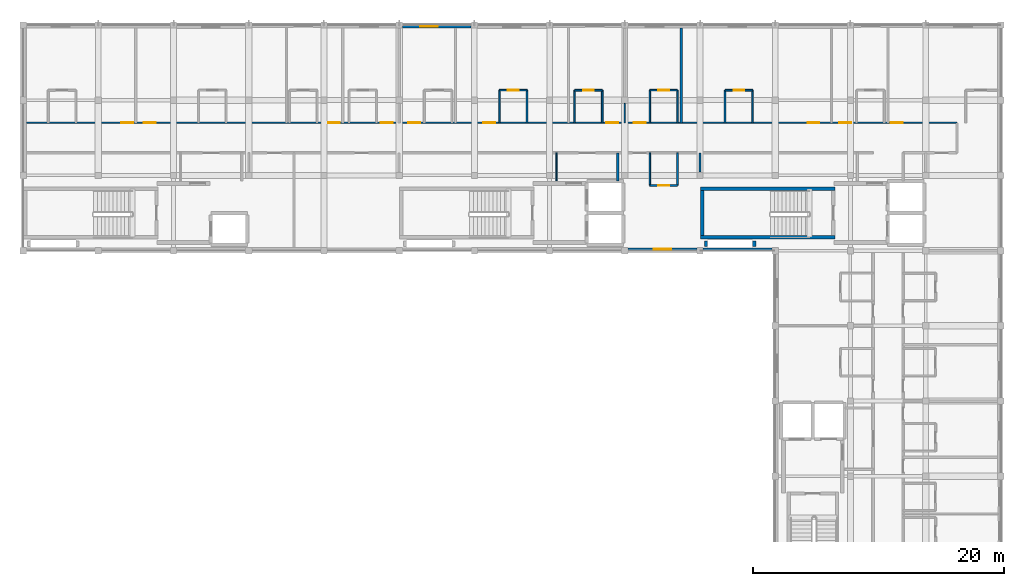
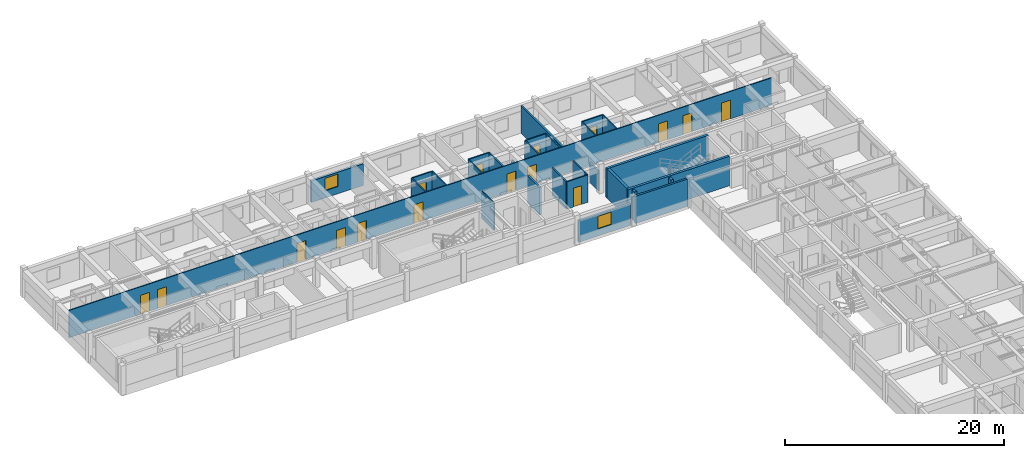
# One storey, part 9 of 15: 29 walls, 16 doors, 2 windows, 18 openings.
"""IFC4 building model written with IfcOpenShell, lengths in metres."""

from ifc_helpers import new_model, si_unit, direction, frame, frame_2d, origin, place, context, subcontext, project, spatial, rectangle, extrude, material, layer, layer_set, type_object, element, fill, save


model = new_model("IFC4")

# Units and contexts
model_context = context("Model", 3, precision=1e-05, world=origin(), true_north=direction((0.0, 1.0)))
body_context = subcontext(model_context, "Body", "Model", "MODEL_VIEW")
ifc_project = project(units=[si_unit("LENGTHUNIT", "METRE"), si_unit("AREAUNIT", "SQUARE_METRE"), si_unit("VOLUMEUNIT", "CUBIC_METRE"), si_unit("PLANEANGLEUNIT", "RADIAN"), si_unit("MASSUNIT", "GRAM", prefix="KILO"), si_unit("THERMODYNAMICTEMPERATUREUNIT", "KELVIN"), si_unit("POWERUNIT", "WATT")], contexts=[model_context])

# Site, building, storey
site_placement = place(None, origin())
site = spatial("IfcSite", under=ifc_project, at=site_placement, CompositionType="ELEMENT")
building_placement = place(site_placement, origin())
building = spatial("IfcBuilding", under=site, at=building_placement, Name="Phaisarnlok Congress Hotel", CompositionType="ELEMENT")
storey_placement = place(building_placement, frame((0.0, 0.0, 41.39990234375)))
storey = spatial("IfcBuildingStorey", under=building, at=storey_placement, Name="L10", CompositionType="ELEMENT", Elevation=41.39990234375)

# Wall
ifc_material_1 = material(Name="Concrete C40/50", Category="concrete")
ifc_layer_1 = layer(ifc_material_1, 0.2099609375, Name="Concrete C40/50")
ifc_layer_set_1 = layer_set([ifc_layer_1], Name="Concrete C40/50")
wall_type_1 = type_object("IfcWallType", Name="WL-EXT-210", PredefinedType="SOLIDWALL", material=ifc_layer_set_1)
wall_1_placement = place(storey_placement, frame((156.2548828125, 108.10498046875, 0.0), z_axis=(0.0, 0.0, 1.0), x_axis=(1.0, 0.0, 0.0)))
element("IfcWall", 1, at=wall_1_placement, inside=storey, type_object=wall_type_1, Name="Exterior wall EW-07 (L10)", PredefinedType="SOLIDWALL", context=body_context, shape_type="SweptSolid", body=[
    extrude(rectangle(XDim=5.490234375, YDim=0.2099609375, at=frame_2d((2.7451171875, 0.0))), origin(), (0.0, 0.0, 1.0), 3.06005859375),
])

# Wall, opening, window
ifc_layer_2 = layer(ifc_material_1, 0.22998046875, Name="Concrete C40/50")
ifc_layer_set_2 = layer_set([ifc_layer_2], Name="Concrete C40/50")
wall_type_2 = type_object("IfcWallType", Name="WL-EXT-230", PredefinedType="SOLIDWALL", material=ifc_layer_set_2)
wall_2_placement = place(storey_placement, frame((150.2548828125, 108.114990234375, 0.0), z_axis=(0.0, 0.0, 1.0), x_axis=(1.0, 0.0, 0.0)))
wall_2 = element("IfcWall", 2, at=wall_2_placement, inside=storey, type_object=wall_type_2, Name="Exterior wall EW-06 (L10)", PredefinedType="SOLIDWALL", context=body_context, shape_type="SweptSolid", body=[
    extrude(rectangle(XDim=5.490234375, YDim=0.22998046875, at=frame_2d((2.7451171875, 0.0))), origin(), (0.0, 0.0, 1.0), 2.41015625),
])
opening_1_placement = place(wall_2_placement, frame((2.044921875, 0.0, 0.800048828125)))
opening_1 = element("IfcOpeningElement", 3, at=opening_1_placement, cuts=wall_2, Name="Opening W-13", PredefinedType="OPENING", context=body_context, shape_type="SweptSolid", body=[
    extrude(rectangle(XDim=1.39990234375, YDim=1.39990234375, at=frame_2d((0.699951171875, 0.699951171875))), frame((0.0, 0.125, 0.0), z_axis=(0.0, -1.0, 0.0), x_axis=(1.0, 0.0, 0.0)), (0.0, 0.0, 1.0), 0.25),
])
ifc_material_2 = material(Name="Thermally Broken Aluminium & Low-E Double Glazing", Category="aluminium")
window_type = type_object("IfcWindowType", Name="WIN-POD-1400", PartitioningType="SINGLE_PANEL", PredefinedType="WINDOW", material=ifc_material_2)
window_1_placement = place(opening_1_placement, origin())
window_1 = element("IfcWindow", 4, at=window_1_placement, inside=storey, type_object=window_type, Name="Guestroom window W-13 (L10)", OverallHeight=1.39990234375, OverallWidth=1.39990234375, PartitioningType="SINGLE_PANEL", PredefinedType="WINDOW", context=body_context, shape_type="SweptSolid", body=[
    extrude(rectangle(XDim=1.39990234375, YDim=1.39990234375, at=frame_2d((0.699951171875, 0.699951171875))), frame((0.0, 0.030029296875, 0.0), z_axis=(0.0, -1.0, 0.0), x_axis=(1.0, 0.0, 0.0)), (0.0, 0.0, 1.0), 0.06005859375),
])
fill(opening_1, window_1)

ifc_layer_3 = layer(ifc_material_1, 0.25, Name="Concrete C40/50")
ifc_layer_set_3 = layer_set([ifc_layer_3], Name="Concrete C40/50")
wall_type_3 = type_object("IfcWallType", Name="WL-EXT-250", PredefinedType="SOLIDWALL", material=ifc_layer_set_3)
wall_3_placement = place(storey_placement, frame((137.7451171875, 125.875, 0.0), z_axis=(0.0, 0.0, 1.0), x_axis=(-1.0, 0.0, 0.0)))
wall_3 = element("IfcWall", 5, at=wall_3_placement, inside=storey, type_object=wall_type_3, Name="Exterior wall EW-05 (L10)", PredefinedType="SOLIDWALL", context=body_context, shape_type="SweptSolid", body=[
    extrude(rectangle(XDim=5.490234375, YDim=0.25, at=frame_2d((2.7451171875, 0.0))), origin(), (0.0, 0.0, 1.0), 2.41015625),
])
opening_2_placement = place(wall_3_placement, frame((2.657958984375, 0.0, 0.800048828125)))
opening_2 = element("IfcOpeningElement", 6, at=opening_2_placement, cuts=wall_3, Name="Opening W-13", PredefinedType="OPENING", context=body_context, shape_type="SweptSolid", body=[
    extrude(rectangle(XDim=1.39990234375, YDim=1.39990234375, at=frame_2d((0.699951171875, 0.699951171875))), frame((0.0, 0.135009765625, 0.0), z_axis=(0.0, -1.0, 0.0), x_axis=(1.0, 0.0, 0.0)), (0.0, 0.0, 1.0), 0.27001953125),
])
window_2_placement = place(opening_2_placement, origin())
window_2 = element("IfcWindow", 7, at=window_2_placement, inside=storey, type_object=window_type, Name="Guestroom window W-13 (L10)", OverallHeight=1.39990234375, OverallWidth=1.39990234375, PartitioningType="SINGLE_PANEL", PredefinedType="WINDOW", context=body_context, shape_type="SweptSolid", body=[
    extrude(rectangle(XDim=1.39990234375, YDim=1.39990234375, at=frame_2d((0.699951171875, 0.699951171875))), frame((0.0, 0.030029296875, 0.0), z_axis=(0.0, -1.0, 0.0), x_axis=(1.0, 0.0, 0.0)), (0.0, 0.0, 1.0), 0.06005859375),
])
fill(opening_2, window_2)

# Walls
ifc_material_3 = material(Name="Service Riser Shaftwall Partition", Category="gypsum")
ifc_layer_4 = layer(ifc_material_3, 0.10498046875, Name="Service Riser Shaftwall Partition")
ifc_layer_set_4 = layer_set([ifc_layer_4], Name="Service Riser Shaftwall Partition")
wall_type_4 = type_object("IfcWallType", Name="WL-INT-105", PredefinedType="PARTITIONING", material=ifc_layer_set_4)
wall_4_placement = place(storey_placement, frame((144.550048828125, 113.56005859375, 0.0), z_axis=(0.0, 0.0, 1.0), x_axis=(0.0, 1.0, 0.0)))
element("IfcWall", 8, at=wall_4_placement, inside=storey, type_object=wall_type_4, Name="Interior partition wall IW-08 (L10)", PredefinedType="PARTITIONING", context=body_context, shape_type="SweptSolid", body=[
    extrude(rectangle(XDim=2.239990234375, YDim=0.10498046875, at=frame_2d((1.1201171875, 0.0))), origin(), (0.0, 0.0, 1.0), 3.06005859375),
])
wall_5_placement = place(storey_placement, frame((150.0, 118.199951171875, 0.0), z_axis=(0.0, 0.0, 1.0), x_axis=(0.0, 1.0, 0.0)))
element("IfcWall", 9, at=wall_5_placement, inside=storey, type_object=wall_type_4, Name="Interior partition wall IW-08 (L10)", PredefinedType="PARTITIONING", context=body_context, shape_type="SweptSolid", body=[
    extrude(rectangle(XDim=1.545166015625, YDim=0.10498046875, at=frame_2d((0.7724609375, 0.0))), origin(), (0.0, 0.0, 1.0), 2.260009765625),
])

# Wall, openings, doors
wall_6_placement = place(storey_placement, frame((102.27490234375, 118.199951171875, 0.0), z_axis=(0.0, 0.0, 1.0), x_axis=(1.0, 0.0, 0.0)))
wall_6 = element("IfcWall", 10, at=wall_6_placement, inside=storey, type_object=wall_type_4, Name="Interior partition wall IW-08 (L10)", PredefinedType="PARTITIONING", context=body_context, shape_type="SweptSolid", body=[
    extrude(rectangle(XDim=74.22509765625, YDim=0.10498046875, at=frame_2d((37.112548828125, 0.0))), origin(), (0.0, 0.0, 1.0), 3.06005859375),
])
opening_3_placement = place(wall_6_placement, frame((7.550048828125, 0.0, 0.0)))
opening_3 = element("IfcOpeningElement", 11, at=opening_3_placement, cuts=wall_6, Name="Opening D-0562", PredefinedType="OPENING", context=body_context, shape_type="SweptSolid", body=[
    extrude(rectangle(XDim=0.949951171875, YDim=2.10009765625, at=frame_2d((0.47509765625, 1.050048828125))), frame((0.0, 0.0625, 0.0), z_axis=(0.0, -1.0, 0.0), x_axis=(1.0, 0.0, 0.0)), (0.0, 0.0, 1.0), 0.125),
])
opening_4_placement = place(wall_6_placement, frame((9.35009765625, 0.0, 0.0)))
opening_4 = element("IfcOpeningElement", 12, at=opening_4_placement, cuts=wall_6, Name="Opening D-0564", PredefinedType="OPENING", context=body_context, shape_type="SweptSolid", body=[
    extrude(rectangle(XDim=0.949951171875, YDim=2.10009765625, at=frame_2d((0.47509765625, 1.050048828125))), frame((0.0, 0.0625, 0.0), z_axis=(0.0, -1.0, 0.0), x_axis=(1.0, 0.0, 0.0)), (0.0, 0.0, 1.0), 0.125),
])
opening_5_placement = place(wall_6_placement, frame((24.050048828125, 0.0, 0.0)))
opening_5 = element("IfcOpeningElement", 13, at=opening_5_placement, cuts=wall_6, Name="Opening D-0566", PredefinedType="OPENING", context=body_context, shape_type="SweptSolid", body=[
    extrude(rectangle(XDim=0.949951171875, YDim=2.10009765625, at=frame_2d((0.47509765625, 1.050048828125))), frame((0.0, 0.0625, 0.0), z_axis=(0.0, -1.0, 0.0), x_axis=(1.0, 0.0, 0.0)), (0.0, 0.0, 1.0), 0.125),
])
opening_6_placement = place(wall_6_placement, frame((28.25, 0.0, 0.0)))
opening_6 = element("IfcOpeningElement", 14, at=opening_6_placement, cuts=wall_6, Name="Opening D-0568", PredefinedType="OPENING", context=body_context, shape_type="SweptSolid", body=[
    extrude(rectangle(XDim=0.949951171875, YDim=2.10009765625, at=frame_2d((0.47509765625, 1.050048828125))), frame((0.0, 0.0625, 0.0), z_axis=(0.0, -1.0, 0.0), x_axis=(1.0, 0.0, 0.0)), (0.0, 0.0, 1.0), 0.125),
])
opening_7_placement = place(wall_6_placement, frame((30.449951171875, 0.0, 0.0)))
opening_7 = element("IfcOpeningElement", 15, at=opening_7_placement, cuts=wall_6, Name="Opening D-0570", PredefinedType="OPENING", context=body_context, shape_type="SweptSolid", body=[
    extrude(rectangle(XDim=0.949951171875, YDim=2.10009765625, at=frame_2d((0.47509765625, 1.050048828125))), frame((0.0, 0.0625, 0.0), z_axis=(0.0, -1.0, 0.0), x_axis=(1.0, 0.0, 0.0)), (0.0, 0.0, 1.0), 0.125),
])
opening_8_placement = place(wall_6_placement, frame((36.449951171875, 0.0, 0.0)))
opening_8 = element("IfcOpeningElement", 16, at=opening_8_placement, cuts=wall_6, Name="Opening D-0572", PredefinedType="OPENING", context=body_context, shape_type="SweptSolid", body=[
    extrude(rectangle(XDim=0.949951171875, YDim=2.10009765625, at=frame_2d((0.47509765625, 1.050048828125))), frame((0.0, 0.0625, 0.0), z_axis=(0.0, -1.0, 0.0), x_axis=(1.0, 0.0, 0.0)), (0.0, 0.0, 1.0), 0.125),
])
opening_9_placement = place(wall_6_placement, frame((46.25, 0.0, 0.0)))
opening_9 = element("IfcOpeningElement", 17, at=opening_9_placement, cuts=wall_6, Name="Opening D-0574", PredefinedType="OPENING", context=body_context, shape_type="SweptSolid", body=[
    extrude(rectangle(XDim=0.949951171875, YDim=2.10009765625, at=frame_2d((0.47509765625, 1.050048828125))), frame((0.0, 0.0625, 0.0), z_axis=(0.0, -1.0, 0.0), x_axis=(1.0, 0.0, 0.0)), (0.0, 0.0, 1.0), 0.125),
])
opening_10_placement = place(wall_6_placement, frame((48.449951171875, 0.0, 0.0)))
opening_10 = element("IfcOpeningElement", 18, at=opening_10_placement, cuts=wall_6, Name="Opening D-0576", PredefinedType="OPENING", context=body_context, shape_type="SweptSolid", body=[
    extrude(rectangle(XDim=0.949951171875, YDim=2.10009765625, at=frame_2d((0.47509765625, 1.050048828125))), frame((0.0, 0.0625, 0.0), z_axis=(0.0, -1.0, 0.0), x_axis=(1.0, 0.0, 0.0)), (0.0, 0.0, 1.0), 0.125),
])
opening_11_placement = place(wall_6_placement, frame((62.300048828125, 0.0, 0.0)))
opening_11 = element("IfcOpeningElement", 19, at=opening_11_placement, cuts=wall_6, Name="Opening D-0578", PredefinedType="OPENING", context=body_context, shape_type="SweptSolid", body=[
    extrude(rectangle(XDim=0.949951171875, YDim=2.10009765625, at=frame_2d((0.47509765625, 1.050048828125))), frame((0.0, 0.0625, 0.0), z_axis=(0.0, -1.0, 0.0), x_axis=(1.0, 0.0, 0.0)), (0.0, 0.0, 1.0), 0.125),
])
opening_12_placement = place(wall_6_placement, frame((64.85009765625, 0.0, 0.0)))
opening_12 = element("IfcOpeningElement", 20, at=opening_12_placement, cuts=wall_6, Name="Opening D-0580", PredefinedType="OPENING", context=body_context, shape_type="SweptSolid", body=[
    extrude(rectangle(XDim=0.949951171875, YDim=2.10009765625, at=frame_2d((0.47509765625, 1.050048828125))), frame((0.0, 0.0625, 0.0), z_axis=(0.0, -1.0, 0.0), x_axis=(1.0, 0.0, 0.0)), (0.0, 0.0, 1.0), 0.125),
])
opening_13_placement = place(wall_6_placement, frame((68.949951171875, 0.0, 0.0)))
opening_13 = element("IfcOpeningElement", 21, at=opening_13_placement, cuts=wall_6, Name="Opening D-0582", PredefinedType="OPENING", context=body_context, shape_type="SweptSolid", body=[
    extrude(rectangle(XDim=0.949951171875, YDim=2.10009765625, at=frame_2d((0.47509765625, 1.050048828125))), frame((0.0, 0.0625, 0.0), z_axis=(0.0, -1.0, 0.0), x_axis=(1.0, 0.0, 0.0)), (0.0, 0.0, 1.0), 0.125),
])
ifc_material_4 = material(Name="Acoustic Solid-Core Teak Veneer", Category="wood")
door_type_1 = type_object("IfcDoorType", Name="DR-FD30-950", OperationType="NOTDEFINED", PredefinedType="DOOR", material=ifc_material_4)
door_1_placement = place(opening_3_placement, origin())
door_1 = element("IfcDoor", 22, at=door_1_placement, inside=storey, type_object=door_type_1, Name="Interior door D-0562 (L10)", OperationType="SINGLE_SWING_RIGHT", OverallHeight=2.10009765625, OverallWidth=0.949951171875, PredefinedType="DOOR", context=body_context, shape_type="SweptSolid", body=[
    extrude(rectangle(XDim=0.949951171875, YDim=2.10009765625, at=frame_2d((0.47509765625, 1.050048828125))), frame((0.0, 0.02490234375, 0.0), z_axis=(0.0, -1.0, 0.0), x_axis=(1.0, 0.0, 0.0)), (0.0, 0.0, 1.0), 0.050048828125),
])
fill(opening_3, door_1)
door_2_placement = place(opening_4_placement, origin())
door_2 = element("IfcDoor", 23, at=door_2_placement, inside=storey, type_object=door_type_1, Name="Interior door D-0564 (L10)", OperationType="SINGLE_SWING_RIGHT", OverallHeight=2.10009765625, OverallWidth=0.949951171875, PredefinedType="DOOR", context=body_context, shape_type="SweptSolid", body=[
    extrude(rectangle(XDim=0.949951171875, YDim=2.10009765625, at=frame_2d((0.47509765625, 1.050048828125))), frame((0.0, 0.02490234375, 0.0), z_axis=(0.0, -1.0, 0.0), x_axis=(1.0, 0.0, 0.0)), (0.0, 0.0, 1.0), 0.050048828125),
])
fill(opening_4, door_2)
door_3_placement = place(opening_5_placement, origin())
door_3 = element("IfcDoor", 24, at=door_3_placement, inside=storey, type_object=door_type_1, Name="Interior door D-0566 (L10)", OperationType="SINGLE_SWING_RIGHT", OverallHeight=2.10009765625, OverallWidth=0.949951171875, PredefinedType="DOOR", context=body_context, shape_type="SweptSolid", body=[
    extrude(rectangle(XDim=0.949951171875, YDim=2.10009765625, at=frame_2d((0.47509765625, 1.050048828125))), frame((0.0, 0.02490234375, 0.0), z_axis=(0.0, -1.0, 0.0), x_axis=(1.0, 0.0, 0.0)), (0.0, 0.0, 1.0), 0.050048828125),
])
fill(opening_5, door_3)
door_4_placement = place(opening_6_placement, origin())
door_4 = element("IfcDoor", 25, at=door_4_placement, inside=storey, type_object=door_type_1, Name="Interior door D-0568 (L10)", OperationType="SINGLE_SWING_RIGHT", OverallHeight=2.10009765625, OverallWidth=0.949951171875, PredefinedType="DOOR", context=body_context, shape_type="SweptSolid", body=[
    extrude(rectangle(XDim=0.949951171875, YDim=2.10009765625, at=frame_2d((0.47509765625, 1.050048828125))), frame((0.0, 0.02490234375, 0.0), z_axis=(0.0, -1.0, 0.0), x_axis=(1.0, 0.0, 0.0)), (0.0, 0.0, 1.0), 0.050048828125),
])
fill(opening_6, door_4)
door_5_placement = place(opening_7_placement, origin())
door_5 = element("IfcDoor", 26, at=door_5_placement, inside=storey, type_object=door_type_1, Name="Interior door D-0570 (L10)", OperationType="SINGLE_SWING_RIGHT", OverallHeight=2.10009765625, OverallWidth=0.949951171875, PredefinedType="DOOR", context=body_context, shape_type="SweptSolid", body=[
    extrude(rectangle(XDim=0.949951171875, YDim=2.10009765625, at=frame_2d((0.47509765625, 1.050048828125))), frame((0.0, 0.02490234375, 0.0), z_axis=(0.0, -1.0, 0.0), x_axis=(1.0, 0.0, 0.0)), (0.0, 0.0, 1.0), 0.050048828125),
])
fill(opening_7, door_5)
door_6_placement = place(opening_8_placement, origin())
door_6 = element("IfcDoor", 27, at=door_6_placement, inside=storey, type_object=door_type_1, Name="Interior door D-0572 (L10)", OperationType="SINGLE_SWING_RIGHT", OverallHeight=2.10009765625, OverallWidth=0.949951171875, PredefinedType="DOOR", context=body_context, shape_type="SweptSolid", body=[
    extrude(rectangle(XDim=0.949951171875, YDim=2.10009765625, at=frame_2d((0.47509765625, 1.050048828125))), frame((0.0, 0.02490234375, 0.0), z_axis=(0.0, -1.0, 0.0), x_axis=(1.0, 0.0, 0.0)), (0.0, 0.0, 1.0), 0.050048828125),
])
fill(opening_8, door_6)
door_7_placement = place(opening_9_placement, origin())
door_7 = element("IfcDoor", 28, at=door_7_placement, inside=storey, type_object=door_type_1, Name="Interior door D-0574 (L10)", OperationType="SINGLE_SWING_RIGHT", OverallHeight=2.10009765625, OverallWidth=0.949951171875, PredefinedType="DOOR", context=body_context, shape_type="SweptSolid", body=[
    extrude(rectangle(XDim=0.949951171875, YDim=2.10009765625, at=frame_2d((0.47509765625, 1.050048828125))), frame((0.0, 0.02490234375, 0.0), z_axis=(0.0, -1.0, 0.0), x_axis=(1.0, 0.0, 0.0)), (0.0, 0.0, 1.0), 0.050048828125),
])
fill(opening_9, door_7)
door_8_placement = place(opening_10_placement, origin())
door_8 = element("IfcDoor", 29, at=door_8_placement, inside=storey, type_object=door_type_1, Name="Interior door D-0576 (L10)", OperationType="SINGLE_SWING_RIGHT", OverallHeight=2.10009765625, OverallWidth=0.949951171875, PredefinedType="DOOR", context=body_context, shape_type="SweptSolid", body=[
    extrude(rectangle(XDim=0.949951171875, YDim=2.10009765625, at=frame_2d((0.47509765625, 1.050048828125))), frame((0.0, 0.02490234375, 0.0), z_axis=(0.0, -1.0, 0.0), x_axis=(1.0, 0.0, 0.0)), (0.0, 0.0, 1.0), 0.050048828125),
])
fill(opening_10, door_8)
door_9_placement = place(opening_11_placement, origin())
door_9 = element("IfcDoor", 30, at=door_9_placement, inside=storey, type_object=door_type_1, Name="Interior door D-0578 (L10)", OperationType="SINGLE_SWING_RIGHT", OverallHeight=2.10009765625, OverallWidth=0.949951171875, PredefinedType="DOOR", context=body_context, shape_type="SweptSolid", body=[
    extrude(rectangle(XDim=0.949951171875, YDim=2.10009765625, at=frame_2d((0.47509765625, 1.050048828125))), frame((0.0, 0.02490234375, 0.0), z_axis=(0.0, -1.0, 0.0), x_axis=(1.0, 0.0, 0.0)), (0.0, 0.0, 1.0), 0.050048828125),
])
fill(opening_11, door_9)
door_10_placement = place(opening_12_placement, origin())
door_10 = element("IfcDoor", 31, at=door_10_placement, inside=storey, type_object=door_type_1, Name="Interior door D-0580 (L10)", OperationType="SINGLE_SWING_RIGHT", OverallHeight=2.10009765625, OverallWidth=0.949951171875, PredefinedType="DOOR", context=body_context, shape_type="SweptSolid", body=[
    extrude(rectangle(XDim=0.949951171875, YDim=2.10009765625, at=frame_2d((0.47509765625, 1.050048828125))), frame((0.0, 0.02490234375, 0.0), z_axis=(0.0, -1.0, 0.0), x_axis=(1.0, 0.0, 0.0)), (0.0, 0.0, 1.0), 0.050048828125),
])
fill(opening_12, door_10)
door_11_placement = place(opening_13_placement, origin())
door_11 = element("IfcDoor", 32, at=door_11_placement, inside=storey, type_object=door_type_1, Name="Interior door D-0582 (L10)", OperationType="SINGLE_SWING_RIGHT", OverallHeight=2.10009765625, OverallWidth=0.949951171875, PredefinedType="DOOR", context=body_context, shape_type="SweptSolid", body=[
    extrude(rectangle(XDim=0.949951171875, YDim=2.10009765625, at=frame_2d((0.47509765625, 1.050048828125))), frame((0.0, 0.02490234375, 0.0), z_axis=(0.0, -1.0, 0.0), x_axis=(1.0, 0.0, 0.0)), (0.0, 0.0, 1.0), 0.050048828125),
])
fill(opening_13, door_11)

# Walls
ifc_material_5 = material(Name="Lightweight Metal-Stud Gypsum Partition", Category="gypsum")
ifc_layer_5 = layer(ifc_material_5, 0.1201171875, Name="Lightweight Metal-Stud Gypsum Partition")
ifc_layer_set_5 = layer_set([ifc_layer_5], Name="Lightweight Metal-Stud Gypsum Partition")
wall_type_5 = type_object("IfcWallType", Name="WL-INT-120", PredefinedType="PARTITIONING", material=ifc_layer_set_5)
for number, where, z_axis, x_axis, name in (
    (33, (140.0, 118.199951171875, 0.0), (0.0, 0.0, 1.0), (0.0, 1.0, 0.0), "Interior partition wall IW-07 (L10)"),
    (34, (146.0, 118.199951171875, 0.0), (0.0, 0.0, 1.0), (0.0, 1.0, 0.0), "Interior partition wall IW-07 (L10)"),
    (35, (152.0, 118.199951171875, 0.0), (0.0, 0.0, 1.0), (0.0, 1.0, 0.0), "Interior partition wall IW-07 (L10)"),
    (36, (154.199951171875, 118.199951171875, 0.0), (0.0, 0.0, 1.0), (0.0, 1.0, 0.0), "Interior partition wall IW-07 (L10)"),
    (37, (160.199951171875, 118.199951171875, 0.0), (0.0, 0.0, 1.0), (0.0, 1.0, 0.0), "Interior partition wall IW-07 (L10)"),
):
    element("IfcWall", number, at=place(storey_placement, frame(where, z_axis=z_axis, x_axis=x_axis)), inside=storey, type_object=wall_type_5, Name=name, PredefinedType="PARTITIONING", context=body_context, shape_type="SweptSolid", body=[
        extrude(rectangle(XDim=2.60009765625, YDim=0.1201171875, at=frame_2d((1.300048828125, 0.0))), origin(), (0.0, 0.0, 1.0), 3.06005859375),
    ])

# Wall, opening, door
wall_7_placement = place(storey_placement, frame((140.0, 120.800048828125, 0.0), z_axis=(0.0, 0.0, 1.0), x_axis=(1.0, 0.0, 0.0)))
wall_7 = element("IfcWall", 38, at=wall_7_placement, inside=storey, type_object=wall_type_5, Name="Interior partition wall IW-07 (L10)", PredefinedType="PARTITIONING", context=body_context, shape_type="SweptSolid", body=[
    extrude(rectangle(XDim=2.199951171875, YDim=0.1201171875, at=frame_2d((1.10009765625, 0.0))), origin(), (0.0, 0.0, 1.0), 3.06005859375),
])
opening_14_placement = place(wall_7_placement, frame((0.675048828125, 0.0, 0.0)))
opening_14 = element("IfcOpeningElement", 39, at=opening_14_placement, cuts=wall_7, Name="Opening D-0571", PredefinedType="OPENING", context=body_context, shape_type="SweptSolid", body=[
    extrude(rectangle(XDim=0.85009765625, YDim=2.10009765625, at=frame_2d((0.425048828125, 1.050048828125))), frame((0.0, 0.070068359375, 0.0), z_axis=(0.0, -1.0, 0.0), x_axis=(1.0, 0.0, 0.0)), (0.0, 0.0, 1.0), 0.14013671875),
])
ifc_material_6 = material(Name="Moisture-Resistant Lacquered Timber", Category="wood")
door_type_2 = type_object("IfcDoorType", Name="DR-BATH-850", OperationType="NOTDEFINED", PredefinedType="DOOR", material=ifc_material_6)
door_12_placement = place(opening_14_placement, origin())
door_12 = element("IfcDoor", 40, at=door_12_placement, inside=storey, type_object=door_type_2, Name="Interior door D-0571 (L10)", OperationType="SINGLE_SWING_LEFT", OverallHeight=2.10009765625, OverallWidth=0.85009765625, PredefinedType="DOOR", context=body_context, shape_type="SweptSolid", body=[
    extrude(rectangle(XDim=0.85009765625, YDim=2.10009765625, at=frame_2d((0.425048828125, 1.050048828125))), frame((0.0, 0.02490234375, 0.0), z_axis=(0.0, -1.0, 0.0), x_axis=(1.0, 0.0, 0.0)), (0.0, 0.0, 1.0), 0.050048828125),
])
fill(opening_14, door_12)

wall_8_placement = place(storey_placement, frame((152.0, 120.800048828125, 0.0), z_axis=(0.0, 0.0, 1.0), x_axis=(1.0, 0.0, 0.0)))
wall_8 = element("IfcWall", 41, at=wall_8_placement, inside=storey, type_object=wall_type_5, Name="Interior partition wall IW-07 (L10)", PredefinedType="PARTITIONING", context=body_context, shape_type="SweptSolid", body=[
    extrude(rectangle(XDim=2.199951171875, YDim=0.1201171875, at=frame_2d((1.10009765625, 0.0))), origin(), (0.0, 0.0, 1.0), 3.06005859375),
])
opening_15_placement = place(wall_8_placement, frame((0.675048828125, 0.0, 0.0)))
opening_15 = element("IfcOpeningElement", 42, at=opening_15_placement, cuts=wall_8, Name="Opening D-0575", PredefinedType="OPENING", context=body_context, shape_type="SweptSolid", body=[
    extrude(rectangle(XDim=0.85009765625, YDim=2.10009765625, at=frame_2d((0.425048828125, 1.050048828125))), frame((0.0, 0.070068359375, 0.0), z_axis=(0.0, -1.0, 0.0), x_axis=(1.0, 0.0, 0.0)), (0.0, 0.0, 1.0), 0.14013671875),
])
door_13_placement = place(opening_15_placement, origin())
door_13 = element("IfcDoor", 43, at=door_13_placement, inside=storey, type_object=door_type_2, Name="Interior door D-0575 (L10)", OperationType="SINGLE_SWING_LEFT", OverallHeight=2.10009765625, OverallWidth=0.85009765625, PredefinedType="DOOR", context=body_context, shape_type="SweptSolid", body=[
    extrude(rectangle(XDim=0.85009765625, YDim=2.10009765625, at=frame_2d((0.425048828125, 1.050048828125))), frame((0.0, 0.02490234375, 0.0), z_axis=(0.0, -1.0, 0.0), x_axis=(1.0, 0.0, 0.0)), (0.0, 0.0, 1.0), 0.050048828125),
])
fill(opening_15, door_13)

# Walls
ifc_material_7 = material(Name="Moisture-Resistant Gypsum Partition", Category="gypsum")
ifc_layer_6 = layer(ifc_material_7, 0.135009765625, Name="Moisture-Resistant Gypsum Partition")
ifc_layer_set_6 = layer_set([ifc_layer_6], Name="Moisture-Resistant Gypsum Partition")
wall_type_6 = type_object("IfcWallType", Name="WL-INT-135", PredefinedType="PARTITIONING", material=ifc_layer_set_6)
for number, where, z_axis, x_axis, name in (
    (44, (142.199951171875, 118.199951171875, 0.0), (0.0, 0.0, 1.0), (0.0, 1.0, 0.0), "Interior partition wall IW-06 (L10)"),
    (45, (148.199951171875, 118.199951171875, 0.0), (0.0, 0.0, 1.0), (0.0, 1.0, 0.0), "Interior partition wall IW-06 (L10)"),
    (46, (152.0, 113.199951171875, 0.0), (0.0, 0.0, 1.0), (0.0, 1.0, 0.0), "Interior partition wall IW-06 (L10)"),
    (47, (154.199951171875, 113.199951171875, 0.0), (0.0, 0.0, 1.0), (0.0, 1.0, 0.0), "Interior partition wall IW-06 (L10)"),
    (48, (158.0, 118.199951171875, 0.0), (0.0, 0.0, 1.0), (0.0, 1.0, 0.0), "Interior partition wall IW-06 (L10)"),
):
    element("IfcWall", number, at=place(storey_placement, frame(where, z_axis=z_axis, x_axis=x_axis)), inside=storey, type_object=wall_type_6, Name=name, PredefinedType="PARTITIONING", context=body_context, shape_type="SweptSolid", body=[
        extrude(rectangle(XDim=2.60009765625, YDim=0.135009765625, at=frame_2d((1.300048828125, 0.0))), origin(), (0.0, 0.0, 1.0), 3.06005859375),
    ])

# Wall, opening, door
wall_9_placement = place(storey_placement, frame((152.0, 113.199951171875, 0.0), z_axis=(0.0, 0.0, 1.0), x_axis=(1.0, 0.0, 0.0)))
wall_9 = element("IfcWall", 49, at=wall_9_placement, inside=storey, type_object=wall_type_6, Name="Interior partition wall IW-06 (L10)", PredefinedType="PARTITIONING", context=body_context, shape_type="SweptSolid", body=[
    extrude(rectangle(XDim=2.199951171875, YDim=0.135009765625, at=frame_2d((1.10009765625, 0.0))), origin(), (0.0, 0.0, 1.0), 3.06005859375),
])
opening_16_placement = place(wall_9_placement, frame((0.675048828125, 0.0, 0.0)))
opening_16 = element("IfcOpeningElement", 50, at=opening_16_placement, cuts=wall_9, Name="Opening D-0583", PredefinedType="OPENING", context=body_context, shape_type="SweptSolid", body=[
    extrude(rectangle(XDim=0.85009765625, YDim=2.10009765625, at=frame_2d((0.425048828125, 1.050048828125))), frame((0.0, 0.07763671875, 0.0), z_axis=(0.0, -1.0, 0.0), x_axis=(1.0, 0.0, 0.0)), (0.0, 0.0, 1.0), 0.155029296875),
])
door_14_placement = place(opening_16_placement, origin())
door_14 = element("IfcDoor", 51, at=door_14_placement, inside=storey, type_object=door_type_2, Name="Interior door D-0583 (L10)", OperationType="SINGLE_SWING_LEFT", OverallHeight=2.10009765625, OverallWidth=0.85009765625, PredefinedType="DOOR", context=body_context, shape_type="SweptSolid", body=[
    extrude(rectangle(XDim=0.85009765625, YDim=2.10009765625, at=frame_2d((0.425048828125, 1.050048828125))), frame((0.0, 0.02490234375, 0.0), z_axis=(0.0, -1.0, 0.0), x_axis=(1.0, 0.0, 0.0)), (0.0, 0.0, 1.0), 0.050048828125),
])
fill(opening_16, door_14)

wall_10_placement = place(storey_placement, frame((146.0, 120.800048828125, 0.0), z_axis=(0.0, 0.0, 1.0), x_axis=(1.0, 0.0, 0.0)))
wall_10 = element("IfcWall", 52, at=wall_10_placement, inside=storey, type_object=wall_type_6, Name="Interior partition wall IW-06 (L10)", PredefinedType="PARTITIONING", context=body_context, shape_type="SweptSolid", body=[
    extrude(rectangle(XDim=2.199951171875, YDim=0.135009765625, at=frame_2d((1.10009765625, 0.0))), origin(), (0.0, 0.0, 1.0), 3.06005859375),
])
opening_17_placement = place(wall_10_placement, frame((0.675048828125, 0.0, 0.0)))
opening_17 = element("IfcOpeningElement", 53, at=opening_17_placement, cuts=wall_10, Name="Opening D-0573", PredefinedType="OPENING", context=body_context, shape_type="SweptSolid", body=[
    extrude(rectangle(XDim=0.85009765625, YDim=2.10009765625, at=frame_2d((0.425048828125, 1.050048828125))), frame((0.0, 0.07763671875, 0.0), z_axis=(0.0, -1.0, 0.0), x_axis=(1.0, 0.0, 0.0)), (0.0, 0.0, 1.0), 0.155029296875),
])
door_15_placement = place(opening_17_placement, origin())
door_15 = element("IfcDoor", 54, at=door_15_placement, inside=storey, type_object=door_type_2, Name="Interior door D-0573 (L10)", OperationType="SINGLE_SWING_LEFT", OverallHeight=2.10009765625, OverallWidth=0.85009765625, PredefinedType="DOOR", context=body_context, shape_type="SweptSolid", body=[
    extrude(rectangle(XDim=0.85009765625, YDim=2.10009765625, at=frame_2d((0.425048828125, 1.050048828125))), frame((0.0, 0.02490234375, 0.0), z_axis=(0.0, -1.0, 0.0), x_axis=(1.0, 0.0, 0.0)), (0.0, 0.0, 1.0), 0.050048828125),
])
fill(opening_17, door_15)

wall_11_placement = place(storey_placement, frame((158.0, 120.800048828125, 0.0), z_axis=(0.0, 0.0, 1.0), x_axis=(1.0, 0.0, 0.0)))
wall_11 = element("IfcWall", 55, at=wall_11_placement, inside=storey, type_object=wall_type_6, Name="Interior partition wall IW-06 (L10)", PredefinedType="PARTITIONING", context=body_context, shape_type="SweptSolid", body=[
    extrude(rectangle(XDim=2.199951171875, YDim=0.135009765625, at=frame_2d((1.10009765625, 0.0))), origin(), (0.0, 0.0, 1.0), 3.06005859375),
])
opening_18_placement = place(wall_11_placement, frame((0.675048828125, 0.0, 0.0)))
opening_18 = element("IfcOpeningElement", 56, at=opening_18_placement, cuts=wall_11, Name="Opening D-0577", PredefinedType="OPENING", context=body_context, shape_type="SweptSolid", body=[
    extrude(rectangle(XDim=0.85009765625, YDim=2.10009765625, at=frame_2d((0.425048828125, 1.050048828125))), frame((0.0, 0.07763671875, 0.0), z_axis=(0.0, -1.0, 0.0), x_axis=(1.0, 0.0, 0.0)), (0.0, 0.0, 1.0), 0.155029296875),
])
door_16_placement = place(opening_18_placement, origin())
door_16 = element("IfcDoor", 57, at=door_16_placement, inside=storey, type_object=door_type_2, Name="Interior door D-0577 (L10)", OperationType="SINGLE_SWING_LEFT", OverallHeight=2.10009765625, OverallWidth=0.85009765625, PredefinedType="DOOR", context=body_context, shape_type="SweptSolid", body=[
    extrude(rectangle(XDim=0.85009765625, YDim=2.10009765625, at=frame_2d((0.425048828125, 1.050048828125))), frame((0.0, 0.02490234375, 0.0), z_axis=(0.0, -1.0, 0.0), x_axis=(1.0, 0.0, 0.0)), (0.0, 0.0, 1.0), 0.050048828125),
])
fill(opening_18, door_16)

# Walls
ifc_material_8 = material(Name="Double-Stud Acoustic Gypsum Partition", Category="gypsum")
ifc_layer_7 = layer(ifc_material_8, 0.159912109375, Name="Double-Stud Acoustic Gypsum Partition")
ifc_layer_set_7 = layer_set([ifc_layer_7], Name="Double-Stud Acoustic Gypsum Partition")
wall_type_7 = type_object("IfcWallType", Name="WL-INT-160", PredefinedType="PARTITIONING", material=ifc_layer_set_7)
wall_12_placement = place(storey_placement, frame((156.0, 114.2548828125, 0.0), z_axis=(0.0, 0.0, 1.0), x_axis=(0.0, 1.0, 0.0)))
element("IfcWall", 58, at=wall_12_placement, inside=storey, type_object=wall_type_7, Name="Interior partition wall IW-04 (L10)", PredefinedType="PARTITIONING", context=body_context, shape_type="SweptSolid", body=[
    extrude(rectangle(XDim=1.545166015625, YDim=0.159912109375, at=frame_2d((0.7724609375, 0.0))), origin(), (0.0, 0.0, 1.0), 2.260009765625),
])
ifc_material_9 = material(Name="Autoclaved Aerated Concrete Block", Category="concrete")
ifc_layer_8 = layer(ifc_material_9, 0.179931640625, Name="Autoclaved Aerated Concrete Block")
ifc_layer_set_8 = layer_set([ifc_layer_8], Name="Autoclaved Aerated Concrete Block")
wall_type_8 = type_object("IfcWallType", Name="WL-INT-180", PredefinedType="PARTITIONING", material=ifc_layer_set_8)
wall_13_placement = place(storey_placement, frame((154.5, 118.199951171875, 0.0), z_axis=(0.0, 0.0, 1.0), x_axis=(0.0, 1.0, 0.0)))
element("IfcWall", 59, at=wall_13_placement, inside=storey, type_object=wall_type_8, Name="Interior partition wall IW-03 (L10)", PredefinedType="PARTITIONING", context=body_context, shape_type="SweptSolid", body=[
    extrude(rectangle(XDim=7.56494140625, YDim=0.179931640625, at=frame_2d((3.782470703125, 0.0))), origin(), (0.0, 0.0, 1.0), 3.06005859375),
])
ifc_layer_9 = layer(ifc_material_9, 0.199951171875, Name="Autoclaved Aerated Concrete Block")
ifc_layer_set_9 = layer_set([ifc_layer_9], Name="Autoclaved Aerated Concrete Block")
wall_type_9 = type_object("IfcWallType", Name="WL-INT-200", PredefinedType="PARTITIONING", material=ifc_layer_set_9)
wall_14_placement = place(storey_placement, frame((149.449951171875, 113.56005859375, 0.0), z_axis=(0.0, 0.0, 1.0), x_axis=(0.0, 1.0, 0.0)))
element("IfcWall", 60, at=wall_14_placement, inside=storey, type_object=wall_type_9, Name="Interior partition wall IW-02 (L10)", PredefinedType="PARTITIONING", context=body_context, shape_type="SweptSolid", body=[
    extrude(rectangle(XDim=2.239990234375, YDim=0.199951171875, at=frame_2d((1.1201171875, 0.0))), origin(), (0.0, 0.0, 1.0), 3.06005859375),
])
ifc_material_10 = material(Name="Concrete C50/60", Category="concrete")
ifc_layer_10 = layer(ifc_material_10, 0.260009765625, Name="Concrete C50/60")
ifc_layer_set_10 = layer_set([ifc_layer_10], Name="Concrete C50/60")
wall_type_10 = type_object("IfcWallType", Name="WL-SHR-260", PredefinedType="SHEAR", material=ifc_layer_set_10)
for number, where, z_axis, x_axis, name in (
    (61, (156.0400390625, 109.070068359375, 0.0), (0.0, 0.0, 1.0), (1.0, 0.0, 0.0), "Stair shaft shear wall SW-04 (CORE-1 L10)"),
    (62, (156.0400390625, 112.929931640625, 0.0), (0.0, 0.0, 1.0), (1.0, 0.0, 0.0), "Stair shaft shear wall SW-04 (CORE-1 L10)"),
):
    element("IfcWall", number, at=place(storey_placement, frame(where, z_axis=z_axis, x_axis=x_axis)), inside=storey, type_object=wall_type_10, Name=name, PredefinedType="SHEAR", context=body_context, shape_type="SweptSolid", body=[
        extrude(rectangle(XDim=10.719970703125, YDim=0.260009765625, at=frame_2d((5.35986328125, 0.0))), origin(), (0.0, 0.0, 1.0), 3.300048828125),
    ])
wall_15_placement = place(storey_placement, frame((156.169921875, 109.199951171875, 0.0), z_axis=(0.0, 0.0, 1.0), x_axis=(0.0, 1.0, 0.0)))
element("IfcWall", 63, at=wall_15_placement, inside=storey, type_object=wall_type_10, Name="Stair shaft shear wall SW-04 (CORE-1 L10)", PredefinedType="SHEAR", context=body_context, shape_type="SweptSolid", body=[
    extrude(rectangle(XDim=3.60009765625, YDim=0.260009765625, at=frame_2d((1.800048828125, 0.0))), origin(), (0.0, 0.0, 1.0), 3.300048828125),
])
for number, where, z_axis, x_axis, name in (
    (64, (156.469970703125, 108.330078125, 0.0), (0.0, 0.0, 1.0), (0.0, 1.0, 0.0), "Service riser shaft wall SW-04 (CORE-1 L10)"),
    (65, (160.330078125, 108.330078125, 0.0), (0.0, 0.0, 1.0), (0.0, 1.0, 0.0), "Service riser shaft wall SW-04 (CORE-1 L10)"),
):
    element("IfcWall", number, at=place(storey_placement, frame(where, z_axis=z_axis, x_axis=x_axis)), inside=storey, type_object=wall_type_10, Name=name, PredefinedType="SHEAR", context=body_context, shape_type="SweptSolid", body=[
        extrude(rectangle(XDim=0.43994140625, YDim=0.260009765625, at=frame_2d((0.219970703125, 0.0))), origin(), (0.0, 0.0, 1.0), 3.300048828125),
    ])

save(model, "model.ifc")
